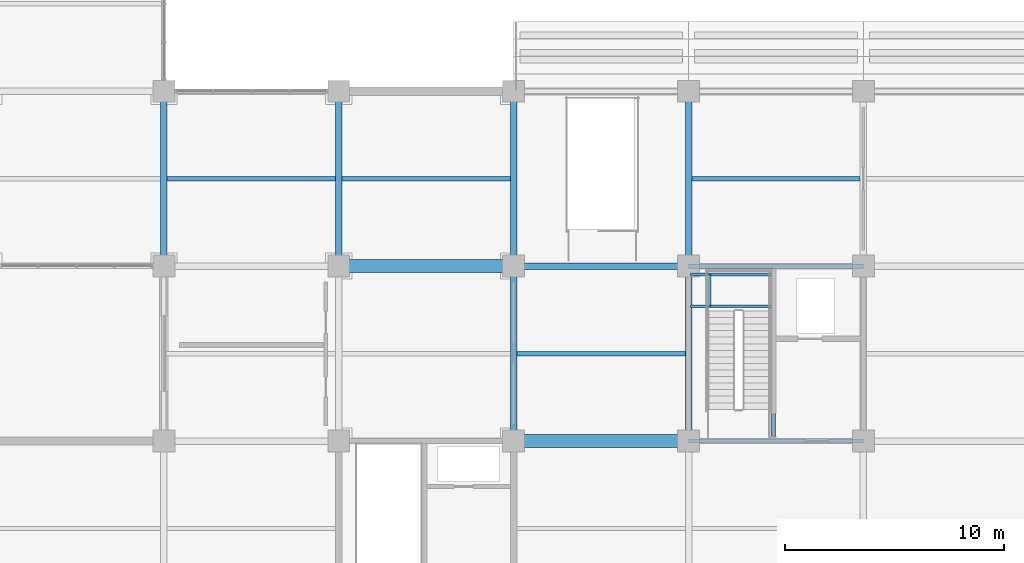
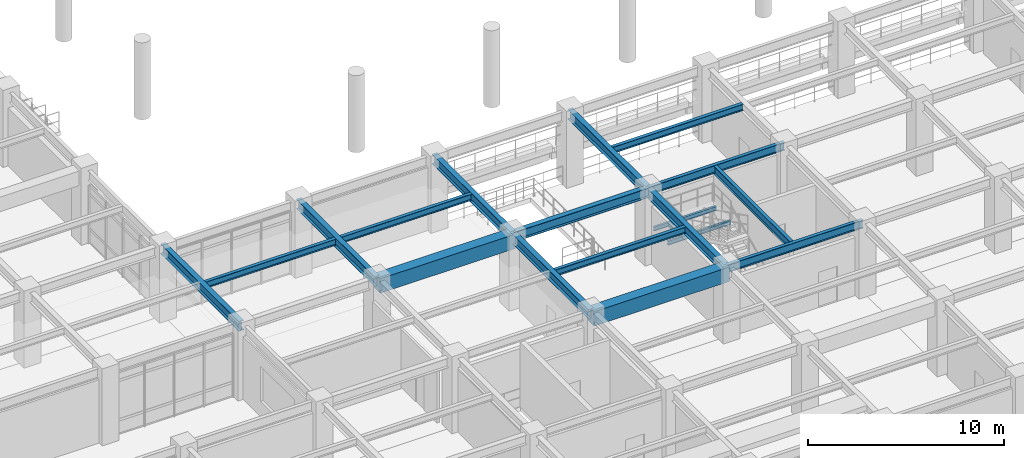
# One storey, part 14 of 117: 19 beams.
"""IFC4 building model written with IfcOpenShell, lengths in metres."""

from ifc_helpers import new_model, si_unit, direction, frame, origin, origin_2d, place, context, subcontext, project, spatial, rectangle, i_section, extrude, material, material_profile, profile_set, type_object, element, save


model = new_model("IFC4")

# Units and contexts
model_context = context("Model", 3, precision=1e-05, world=origin(), true_north=direction((0.0, 1.0)))
body_context = subcontext(model_context, "Body", "Model", "MODEL_VIEW")
ifc_project = project(units=[si_unit("LENGTHUNIT", "METRE"), si_unit("AREAUNIT", "SQUARE_METRE"), si_unit("VOLUMEUNIT", "CUBIC_METRE"), si_unit("PLANEANGLEUNIT", "RADIAN"), si_unit("MASSUNIT", "GRAM", prefix="KILO")], contexts=[model_context])

# Site, building, storey
site_placement = place(None, origin())
site = spatial("IfcSite", under=ifc_project, at=site_placement, CompositionType="ELEMENT")
building_placement = place(site_placement, origin())
building = spatial("IfcBuilding", under=site, at=building_placement, Name="Haebicheon Civic Stadium", CompositionType="ELEMENT")
storey_placement = place(building_placement, frame((0.0, 0.0, 4.800048828125)))
storey = spatial("IfcBuildingStorey", under=building, at=storey_placement, Name="L02", CompositionType="ELEMENT", Elevation=4.800048828125)

# Beams
ifc_material_1 = material(Name="Concrete C40/50", Category="concrete")
ifc_material_profile_1 = material_profile(ifc_material_1, rectangle(XDim=0.60009765625, YDim=0.89990234375, at=origin_2d()), Name="RC-BM-600x900")
ifc_profile_set_1 = profile_set([ifc_material_profile_1], Name="Concrete C40/50")
beam_type_1 = type_object("IfcBeamType", Name="BM-RC-600x900", PredefinedType="BEAM", material=ifc_profile_set_1)
for number, where, z_axis, x_axis, name in (
    (1, (72.0, 24.0, 4.070068359375), (1.0, 0.0, 0.0), (0.0, 1.0, 0.0), "L02 beam D/10-11"),
    (2, (80.0, 16.0, 4.070068359375), (1.0, 0.0, 0.0), (0.0, 1.0, 0.0), "L02 beam C/11-12"),
):
    element("IfcBeam", number, at=place(storey_placement, frame(where, z_axis=z_axis, x_axis=x_axis)), inside=storey, type_object=beam_type_1, material=ifc_profile_set_1, Name=name, PredefinedType="BEAM", context=body_context, shape_type="SweptSolid", body=[
        extrude(rectangle(XDim=0.60009765625, YDim=0.89990234375, at=origin_2d()), origin(), (0.0, 0.0, 1.0), 8.0),
    ])
ifc_material_2 = material(Name="Steel SM355 (S355)", Category="steel")
ifc_material_profile_2 = material_profile(ifc_material_2, i_section(OverallWidth=0.199951171875, OverallDepth=0.5, WebThickness=0.010009765625, FlangeThickness=0.01611328125, at=origin_2d()), Name="H-500x200x10x16")
ifc_profile_set_2 = profile_set([ifc_material_profile_2], Name="Steel SM355 (S355)")
beam_type_2 = type_object("IfcBeamType", Name="BM-ST-H500", PredefinedType="BEAM", material=ifc_profile_set_2)
for number, where, z_axis, x_axis, name in (
    (3, (88.0, 16.0, 4.27001953125), (1.0, 0.0, 0.0), (0.0, 1.0, 0.0), "L02 beam C/12-13"),
    (4, (88.0, 24.0, 4.27001953125), (1.0, 0.0, 0.0), (0.0, 1.0, 0.0), "L02 beam D/12-13"),
):
    element("IfcBeam", number, at=place(storey_placement, frame(where, z_axis=z_axis, x_axis=x_axis)), inside=storey, type_object=beam_type_2, material=ifc_profile_set_2, Name=name, PredefinedType="BEAM", context=body_context, shape_type="SweptSolid", body=[
        extrude(i_section(OverallWidth=0.199951171875, OverallDepth=0.5, WebThickness=0.010009765625, FlangeThickness=0.01611328125, at=origin_2d()), origin(), (0.0, 0.0, 1.0), 8.0),
    ])
beam_1_placement = place(storey_placement, frame((91.8798828125, 16.10009765625, 4.27001953125), z_axis=(0.0, 1.0, 0.0), x_axis=(-1.0, 0.0, 0.0)))
element("IfcBeam", 5, at=beam_1_placement, inside=storey, type_object=beam_type_2, material=ifc_profile_set_2, Name="L02 KC-06 core dividing wall support beam", PredefinedType="BEAM", context=body_context, shape_type="SweptSolid", body=[
    extrude(i_section(OverallWidth=0.199951171875, OverallDepth=0.5, WebThickness=0.010009765625, FlangeThickness=0.01611328125, at=origin_2d()), origin(), (0.0, 0.0, 1.0), 7.7998046875),
])
ifc_material_3 = material(Name="Steel SM355 (S355)", Category="steel")
ifc_material_profile_3 = material_profile(ifc_material_3, i_section(OverallWidth=0.300048828125, OverallDepth=0.60009765625, WebThickness=0.011962890625, FlangeThickness=0.02001953125, at=origin_2d()), Name="H-600x300x12x20")
ifc_profile_set_3 = profile_set([ifc_material_profile_3], Name="Steel SM355 (S355)")
beam_type_3 = type_object("IfcBeamType", Name="BM-ST-H600A", PredefinedType="BEAM", material=ifc_profile_set_3)
for number, where, z_axis, x_axis, name in (
    (6, (64.0, 24.0, 4.219970703125), (0.0, 1.0, 0.0), (-1.0, 0.0, 0.0), "L02 girder 9/D-E"),
    (7, (72.0, 24.0, 4.219970703125), (0.0, 1.0, 0.0), (-1.0, 0.0, 0.0), "L02 girder 10/D-E"),
    (8, (80.0, 16.0, 4.219970703125), (0.0, 1.0, 0.0), (-1.0, 0.0, 0.0), "L02 girder 11/C-D"),
    (9, (80.0, 24.0, 4.219970703125), (0.0, 1.0, 0.0), (-1.0, 0.0, 0.0), "L02 girder 11/D-E"),
    (10, (88.0, 16.0, 4.219970703125), (0.0, 1.0, 0.0), (-1.0, 0.0, 0.0), "L02 girder 12/C-D"),
    (11, (88.0, 24.0, 4.219970703125), (0.0, 1.0, 0.0), (-1.0, 0.0, 0.0), "L02 girder 12/D-E"),
    (12, (80.0, 24.0, 4.219970703125), (1.0, 0.0, 0.0), (0.0, 1.0, 0.0), "L02 beam D/11-12"),
):
    element("IfcBeam", number, at=place(storey_placement, frame(where, z_axis=z_axis, x_axis=x_axis)), inside=storey, type_object=beam_type_3, material=ifc_profile_set_3, Name=name, PredefinedType="BEAM", context=body_context, shape_type="SweptSolid", body=[
        extrude(i_section(OverallWidth=0.300048828125, OverallDepth=0.60009765625, WebThickness=0.011962890625, FlangeThickness=0.02001953125, at=origin_2d()), origin(), (0.0, 0.0, 1.0), 8.0),
    ])
ifc_material_4 = material(Name="Steel SM355 (S355)", Category="steel")
ifc_material_profile_4 = material_profile(ifc_material_4, i_section(OverallWidth=0.125, OverallDepth=0.25, WebThickness=0.006103515625, FlangeThickness=0.009033203125, at=origin_2d()), Name="H-250x125x6x9")
ifc_profile_set_4 = profile_set([ifc_material_profile_4], Name="Steel SM355 (S355)")
beam_type_4 = type_object("IfcBeamType", Name="JST-ST-H250", PredefinedType="JOIST", material=ifc_profile_set_4)
for number, where, z_axis, x_axis, name in (
    (13, (88.080078125, 22.169921875, 2.072021484375), (1.0, 0.0, 0.0), (0.0, 1.0, 0.0), "KC-06 L02 stair half-landing front trimmer beam"),
    (14, (88.080078125, 23.6201171875, 2.072021484375), (1.0, 0.0, 0.0), (0.0, 1.0, 0.0), "KC-06 L02 stair half-landing rear trimmer beam"),
):
    element("IfcBeam", number, at=place(storey_placement, frame(where, z_axis=z_axis, x_axis=x_axis)), inside=storey, type_object=beam_type_4, material=ifc_profile_set_4, Name=name, PredefinedType="JOIST", context=body_context, shape_type="SweptSolid", body=[
        extrude(i_section(OverallWidth=0.125, OverallDepth=0.25, WebThickness=0.006103515625, FlangeThickness=0.009033203125, at=origin_2d()), origin(), (0.0, 0.0, 1.0), 3.719970703125),
    ])
beam_2_placement = place(storey_placement, frame((88.9599609375, 22.169921875, 2.072021484375), z_axis=(0.0, 1.0, 0.0), x_axis=(-1.0, 0.0, 0.0)))
element("IfcBeam", 15, at=beam_2_placement, inside=storey, type_object=beam_type_4, material=ifc_profile_set_4, Name="KC-06 L02 stair half-landing transverse tie beam", PredefinedType="JOIST", context=body_context, shape_type="SweptSolid", body=[
    extrude(i_section(OverallWidth=0.125, OverallDepth=0.25, WebThickness=0.006103515625, FlangeThickness=0.009033203125, at=origin_2d()), origin(), (0.0, 0.0, 1.0), 1.4501953125),
])
ifc_material_5 = material(Name="Steel SM355 (S355)", Category="steel")
ifc_material_profile_5 = material_profile(ifc_material_5, i_section(OverallWidth=0.199951171875, OverallDepth=0.39990234375, WebThickness=0.008056640625, FlangeThickness=0.012939453125, at=origin_2d()), Name="H-400x200x8x13")
ifc_profile_set_5 = profile_set([ifc_material_profile_5], Name="Steel SM355 (S355)")
beam_type_5 = type_object("IfcBeamType", Name="JST-ST-H400", PredefinedType="JOIST", material=ifc_profile_set_5)
for number, where, z_axis, x_axis, name in (
    (16, (64.14990234375, 28.0, 4.320068359375), (1.0, 0.0, 0.0), (0.0, 1.0, 0.0), "L02 secondary joist 08-03"),
    (17, (72.14990234375, 28.0, 4.320068359375), (1.0, 0.0, 0.0), (0.0, 1.0, 0.0), "L02 secondary joist 09-03"),
    (18, (80.14990234375, 20.0, 4.320068359375), (1.0, 0.0, 0.0), (0.0, 1.0, 0.0), "L02 secondary joist 10-02"),
    (19, (88.14990234375, 28.0, 4.320068359375), (1.0, 0.0, 0.0), (0.0, 1.0, 0.0), "L02 secondary joist 11-03"),
):
    element("IfcBeam", number, at=place(storey_placement, frame(where, z_axis=z_axis, x_axis=x_axis)), inside=storey, type_object=beam_type_5, material=ifc_profile_set_5, Name=name, PredefinedType="JOIST", context=body_context, shape_type="SweptSolid", body=[
        extrude(i_section(OverallWidth=0.199951171875, OverallDepth=0.39990234375, WebThickness=0.008056640625, FlangeThickness=0.012939453125, at=origin_2d()), origin(), (0.0, 0.0, 1.0), 7.7001953125),
    ])

save(model, "model.ifc")
